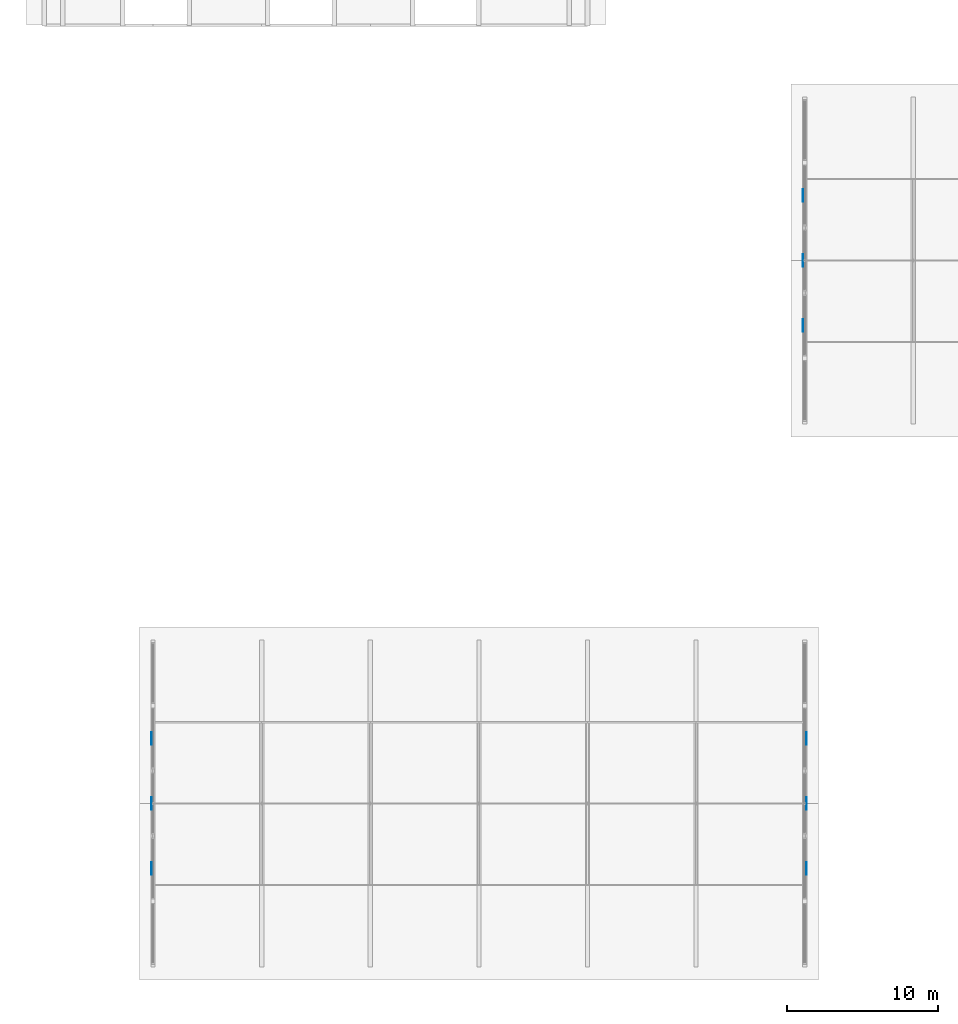
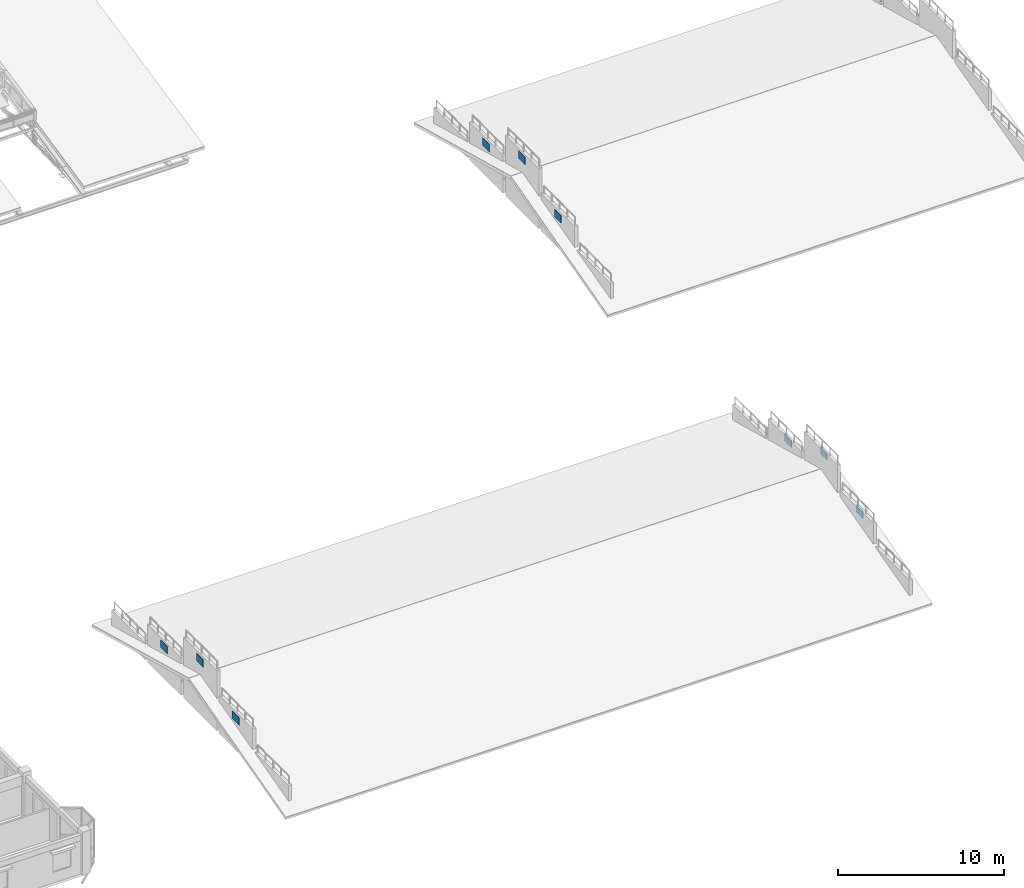
# One storey, part 84 of 124: 9 plates.
"""IFC4 building model written with IfcOpenShell, lengths in metres."""

from ifc_helpers import new_model, si_unit, direction, frame, origin, origin_2d, place, context, subcontext, project, spatial, rectangle, extrude, material, layer, layer_set, type_object, element, save


model = new_model("IFC4")

# Units and contexts
model_context = context("Model", 3, precision=1e-05, world=origin(), true_north=direction((0.0, 1.0)))
body_context = subcontext(model_context, "Body", "Model", "MODEL_VIEW")
ifc_project = project(units=[si_unit("LENGTHUNIT", "METRE"), si_unit("AREAUNIT", "SQUARE_METRE"), si_unit("VOLUMEUNIT", "CUBIC_METRE"), si_unit("PLANEANGLEUNIT", "RADIAN"), si_unit("MASSUNIT", "GRAM", prefix="KILO"), si_unit("THERMODYNAMICTEMPERATUREUNIT", "KELVIN"), si_unit("POWERUNIT", "WATT")], contexts=[model_context])

# Site, building, storey
site_placement = place(None, origin())
site = spatial("IfcSite", under=ifc_project, at=site_placement, CompositionType="ELEMENT")
building_placement = place(site_placement, origin())
building = spatial("IfcBuilding", under=site, at=building_placement, Name="Tavuni Mirador Residences", CompositionType="ELEMENT")
storey_placement = place(building_placement, frame((0.0, 0.0, 7.64990234375)))
storey = spatial("IfcBuildingStorey", under=building, at=storey_placement, Name="L02", CompositionType="ELEMENT", Elevation=7.64990234375)

# Plates
ifc_material = material(Name="Structural steel S355", Category="steel")
ifc_layer = layer(ifc_material, 0.028076171875, Name="Structural steel S355", Category="steel")
ifc_layer_set = layer_set([ifc_layer], Name="Structural steel S355")
plate_type = type_object("IfcPlateType", Name="PLT-GP09", PredefinedType="USERDEFINED", material=ifc_layer_set)
for number, where, z_axis, x_axis, name in (
    (1, (89.883544921875, 49.679931640625, 2.06005859375), (0.0, 0.0, 1.0), (0.0, 1.0, 0.0), "TRENC-PAV-NURS-X0-1"),
    (2, (89.883544921875, 54.0, 3.719970703125), (0.0, 0.0, 1.0), (0.0, 1.0, 0.0), "TRENC-PAV-NURS-X0-2"),
    (3, (89.883544921875, 58.320068359375, 2.06005859375), (0.0, 0.0, 1.0), (0.0, 1.0, 0.0), "TRENC-PAV-NURS-X0-3"),
    (4, (46.68359375, 13.679931640625, 2.06005859375), (0.0, 0.0, 1.0), (0.0, 1.0, 0.0), "TRENC-PAV-SHOP-X0-1"),
    (5, (46.68359375, 18.0, 3.719970703125), (0.0, 0.0, 1.0), (0.0, 1.0, 0.0), "TRENC-PAV-SHOP-X0-2"),
    (6, (46.68359375, 22.320068359375, 2.06005859375), (0.0, 0.0, 1.0), (0.0, 1.0, 0.0), "TRENC-PAV-SHOP-X0-3"),
    (7, (90.116455078125, 13.679931640625, 2.06005859375), (0.0, 0.0, 1.0), (0.0, 1.0, 0.0), "TRENC-PAV-SHOP-X1-1"),
    (8, (90.116455078125, 18.0, 3.719970703125), (0.0, 0.0, 1.0), (0.0, 1.0, 0.0), "TRENC-PAV-SHOP-X1-2"),
    (9, (90.116455078125, 22.320068359375, 2.06005859375), (0.0, 0.0, 1.0), (0.0, 1.0, 0.0), "TRENC-PAV-SHOP-X1-3"),
):
    element("IfcPlate", number, at=place(storey_placement, frame(where, z_axis=z_axis, x_axis=x_axis)), inside=storey, type_object=plate_type, Name=name, ObjectType="GUSSET PLATE", PredefinedType="USERDEFINED", context=body_context, shape_type="SweptSolid", body=[
        extrude(rectangle(XDim=0.820068359375, YDim=0.028076171875, at=origin_2d()), origin(), (0.0, 0.0, 1.0), 0.56005859375),
    ])

save(model, "model.ifc")
